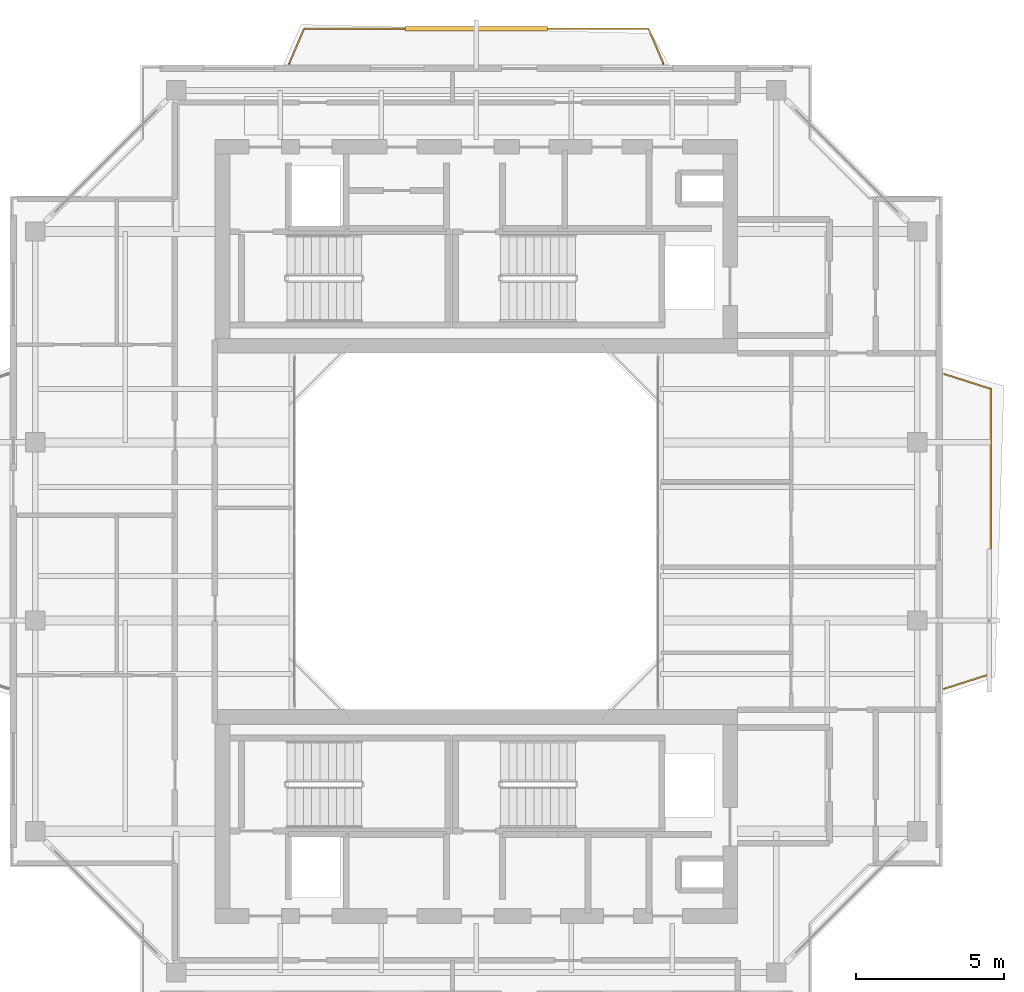
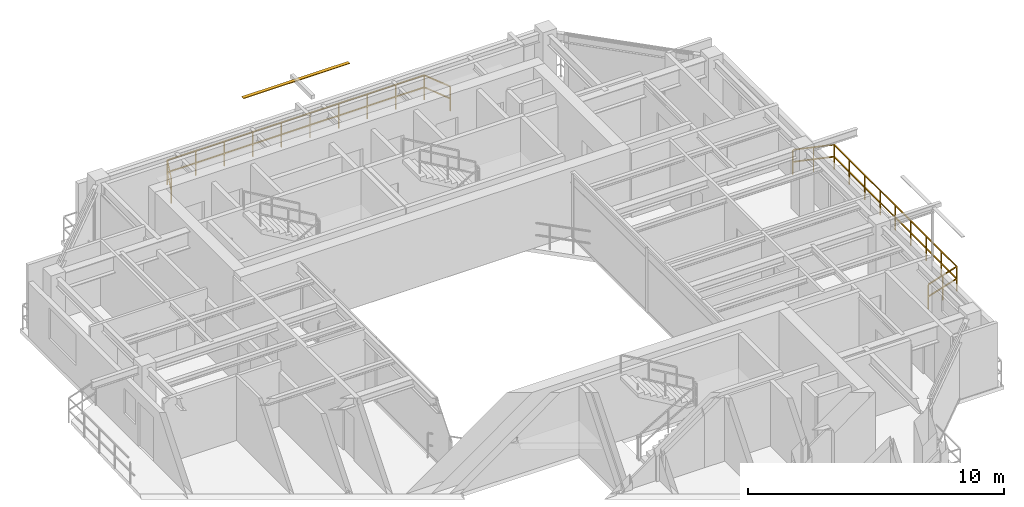
# One storey, part 15 of 15: 2 railings, 1 shading device.
"""IFC4 building model written with IfcOpenShell, lengths in metres."""

from ifc_helpers import new_model, si_unit, direction, frame, origin, origin_2d, place, context, subcontext, project, spatial, rectangle, extrude, source, transform, mapped, material, material_profile, profile_set, type_object, element, save


model = new_model("IFC4")

# Units and contexts
model_context = context("Model", 3, precision=1e-05, world=origin(), true_north=direction((0.0, 1.0)))
body_context = subcontext(model_context, "Body", "Model", "MODEL_VIEW")
ifc_project = project(units=[si_unit("LENGTHUNIT", "METRE"), si_unit("AREAUNIT", "SQUARE_METRE"), si_unit("VOLUMEUNIT", "CUBIC_METRE"), si_unit("PLANEANGLEUNIT", "RADIAN"), si_unit("MASSUNIT", "GRAM", prefix="KILO"), si_unit("THERMODYNAMICTEMPERATUREUNIT", "KELVIN"), si_unit("POWERUNIT", "WATT")], contexts=[model_context])

# Site, building, storey
site_placement = place(None, origin())
site = spatial("IfcSite", under=ifc_project, at=site_placement, CompositionType="ELEMENT")
building_placement = place(site_placement, origin())
building = spatial("IfcBuilding", under=site, at=building_placement, Name="Qiaomeng Ring Towers", CompositionType="ELEMENT")
storey_placement = place(building_placement, frame((0.0, 0.0, 250.25)))
storey = spatial("IfcBuildingStorey", under=building, at=storey_placement, Name="L73", CompositionType="ELEMENT", Elevation=250.25)

# Railings
ifc_material_1 = material(Name="Low-E pale-green laminated safety glass", Category="glass")
railing_type = type_object("IfcRailingType", Name="ARC-RL-BAL1", PredefinedType="BALUSTRADE", material=ifc_material_1)
railing_1_placement = place(storey_placement, frame((34.75, 17.699951171875, 0.0)))
element("IfcRailing", 1, at=railing_1_placement, inside=storey, type_object=railing_type, Name="L73 Balustrade ARC-BAL-L73-T1-E", PredefinedType="BALUSTRADE", context=body_context, shape_type="SweptSolid", body=[
    extrude(rectangle(XDim=0.048095703125, YDim=0.048095703125, at=origin_2d()), frame((0.0, 0.0, 1.17578125), z_axis=(0.952849860715, 0.303442157479, 0.0), x_axis=(-0.303442157479, 0.952849860715, 0.0)), (0.0, 0.0, 1.0), 1.647705078125),
    extrude(rectangle(XDim=0.048095703125, YDim=0.048095703125, at=origin_2d()), frame((0.0, 0.0, 0.60009765625), z_axis=(0.952849860715, 0.303442157479, 0.0), x_axis=(-0.303442157479, 0.952849860715, 0.0)), (0.0, 0.0, 1.0), 1.647705078125),
    extrude(rectangle(XDim=0.048095703125, YDim=0.048095703125, at=origin_2d()), frame((1.570068359375, 0.5, 1.17578125), z_axis=(0.0, 1.0, 0.0), x_axis=(-1.0, 0.0, 0.0)), (0.0, 0.0, 1.0), 9.60009765625),
    extrude(rectangle(XDim=0.048095703125, YDim=0.048095703125, at=origin_2d()), frame((1.570068359375, 0.5, 0.60009765625), z_axis=(0.0, 1.0, 0.0), x_axis=(-1.0, 0.0, 0.0)), (0.0, 0.0, 1.0), 9.60009765625),
    extrude(rectangle(XDim=0.048095703125, YDim=0.048095703125, at=origin_2d()), frame((1.570068359375, 10.10009765625, 1.17578125), z_axis=(-0.952849860715, 0.303442157479, 0.0), x_axis=(-0.303442157479, -0.952849860715, 0.0)), (0.0, 0.0, 1.0), 1.647705078125),
    extrude(rectangle(XDim=0.048095703125, YDim=0.048095703125, at=origin_2d()), frame((1.570068359375, 10.10009765625, 0.60009765625), z_axis=(-0.952849860715, 0.303442157479, 0.0), x_axis=(-0.303442157479, -0.952849860715, 0.0)), (0.0, 0.0, 1.0), 1.647705078125),
    extrude(rectangle(XDim=0.0419921875, YDim=0.0419921875, at=origin_2d()), origin(), (0.0, 0.0, 1.0), 1.15185546875),
    extrude(rectangle(XDim=0.0419921875, YDim=0.0419921875, at=origin_2d()), frame((0.78515625, 0.25, 0.0)), (0.0, 0.0, 1.0), 1.15185546875),
    extrude(rectangle(XDim=0.0419921875, YDim=0.0419921875, at=origin_2d()), frame((1.570068359375, 0.5, 0.0)), (0.0, 0.0, 1.0), 1.15185546875),
    extrude(rectangle(XDim=0.0419921875, YDim=0.0419921875, at=origin_2d()), frame((1.570068359375, 1.699951171875, 0.0)), (0.0, 0.0, 1.0), 1.15185546875),
    extrude(rectangle(XDim=0.0419921875, YDim=0.0419921875, at=origin_2d()), frame((1.570068359375, 2.89990234375, 0.0)), (0.0, 0.0, 1.0), 1.15185546875),
    extrude(rectangle(XDim=0.0419921875, YDim=0.0419921875, at=origin_2d()), frame((1.570068359375, 4.10009765625, 0.0)), (0.0, 0.0, 1.0), 1.15185546875),
    extrude(rectangle(XDim=0.0419921875, YDim=0.0419921875, at=origin_2d()), frame((1.570068359375, 5.300048828125, 0.0)), (0.0, 0.0, 1.0), 1.15185546875),
    extrude(rectangle(XDim=0.0419921875, YDim=0.0419921875, at=origin_2d()), frame((1.570068359375, 6.5, 0.0)), (0.0, 0.0, 1.0), 1.15185546875),
    extrude(rectangle(XDim=0.0419921875, YDim=0.0419921875, at=origin_2d()), frame((1.570068359375, 7.7001953125, 0.0)), (0.0, 0.0, 1.0), 1.15185546875),
    extrude(rectangle(XDim=0.0419921875, YDim=0.0419921875, at=origin_2d()), frame((1.570068359375, 8.900146484375, 0.0)), (0.0, 0.0, 1.0), 1.15185546875),
    extrude(rectangle(XDim=0.0419921875, YDim=0.0419921875, at=origin_2d()), frame((1.570068359375, 10.10009765625, 0.0)), (0.0, 0.0, 1.0), 1.15185546875),
    extrude(rectangle(XDim=0.0419921875, YDim=0.0419921875, at=origin_2d()), frame((0.78515625, 10.35009765625, 0.0)), (0.0, 0.0, 1.0), 1.15185546875),
    extrude(rectangle(XDim=0.0419921875, YDim=0.0419921875, at=origin_2d()), frame((0.0, 10.60009765625, 0.0)), (0.0, 0.0, 1.0), 1.15185546875),
])
railing_2_placement = place(storey_placement, frame((12.699951171875, 38.75, 0.0)))
element("IfcRailing", 2, at=railing_2_placement, inside=storey, type_object=railing_type, Name="L73 Balustrade ARC-BAL-L73-T1-N", PredefinedType="BALUSTRADE", context=body_context, shape_type="SweptSolid", body=[
    extrude(rectangle(XDim=0.048095703125, YDim=0.048095703125, at=origin_2d()), frame((0.0, 0.0, 1.17578125), z_axis=(0.39299272826, 0.919541579014, 0.0), x_axis=(-0.919541579014, 0.39299272826, 0.0)), (0.0, 0.0, 1.0), 1.272216796875),
    extrude(rectangle(XDim=0.048095703125, YDim=0.048095703125, at=origin_2d()), frame((0.0, 0.0, 0.60009765625), z_axis=(0.39299272826, 0.919541579014, 0.0), x_axis=(-0.919541579014, 0.39299272826, 0.0)), (0.0, 0.0, 1.0), 1.272216796875),
    extrude(rectangle(XDim=0.048095703125, YDim=0.048095703125, at=origin_2d()), frame((0.5, 1.169921875, 1.17578125), z_axis=(1.0, 0.0, 0.0), x_axis=(0.0, 1.0, 0.0)), (0.0, 0.0, 1.0), 11.60009765625),
    extrude(rectangle(XDim=0.048095703125, YDim=0.048095703125, at=origin_2d()), frame((0.5, 1.169921875, 0.60009765625), z_axis=(1.0, 0.0, 0.0), x_axis=(0.0, 1.0, 0.0)), (0.0, 0.0, 1.0), 11.60009765625),
    extrude(rectangle(XDim=0.048095703125, YDim=0.048095703125, at=origin_2d()), frame((12.10009765625, 1.169921875, 1.17578125), z_axis=(0.39299272826, -0.919541579014, 0.0), x_axis=(0.919541579014, 0.39299272826, 0.0)), (0.0, 0.0, 1.0), 1.272216796875),
    extrude(rectangle(XDim=0.048095703125, YDim=0.048095703125, at=origin_2d()), frame((12.10009765625, 1.169921875, 0.60009765625), z_axis=(0.39299272826, -0.919541579014, 0.0), x_axis=(0.919541579014, 0.39299272826, 0.0)), (0.0, 0.0, 1.0), 1.272216796875),
    extrude(rectangle(XDim=0.0419921875, YDim=0.0419921875, at=origin_2d()), origin(), (0.0, 0.0, 1.0), 1.15185546875),
    extrude(rectangle(XDim=0.0419921875, YDim=0.0419921875, at=origin_2d()), frame((0.5, 1.169921875, 0.0)), (0.0, 0.0, 1.0), 1.15185546875),
    extrude(rectangle(XDim=0.0419921875, YDim=0.0419921875, at=origin_2d()), frame((1.788818359375, 1.169921875, 0.0)), (0.0, 0.0, 1.0), 1.15185546875),
    extrude(rectangle(XDim=0.0419921875, YDim=0.0419921875, at=origin_2d()), frame((3.077880859375, 1.169921875, 0.0)), (0.0, 0.0, 1.0), 1.15185546875),
    extrude(rectangle(XDim=0.0419921875, YDim=0.0419921875, at=origin_2d()), frame((4.36669921875, 1.169921875, 0.0)), (0.0, 0.0, 1.0), 1.15185546875),
    extrude(rectangle(XDim=0.0419921875, YDim=0.0419921875, at=origin_2d()), frame((5.655517578125, 1.169921875, 0.0)), (0.0, 0.0, 1.0), 1.15185546875),
    extrude(rectangle(XDim=0.0419921875, YDim=0.0419921875, at=origin_2d()), frame((6.944580078125, 1.169921875, 0.0)), (0.0, 0.0, 1.0), 1.15185546875),
    extrude(rectangle(XDim=0.0419921875, YDim=0.0419921875, at=origin_2d()), frame((8.2333984375, 1.169921875, 0.0)), (0.0, 0.0, 1.0), 1.15185546875),
    extrude(rectangle(XDim=0.0419921875, YDim=0.0419921875, at=origin_2d()), frame((9.522216796875, 1.169921875, 0.0)), (0.0, 0.0, 1.0), 1.15185546875),
    extrude(rectangle(XDim=0.0419921875, YDim=0.0419921875, at=origin_2d()), frame((10.811279296875, 1.169921875, 0.0)), (0.0, 0.0, 1.0), 1.15185546875),
    extrude(rectangle(XDim=0.0419921875, YDim=0.0419921875, at=origin_2d()), frame((12.10009765625, 1.169921875, 0.0)), (0.0, 0.0, 1.0), 1.15185546875),
    extrude(rectangle(XDim=0.0419921875, YDim=0.0419921875, at=origin_2d()), frame((12.60009765625, 0.0, 0.0)), (0.0, 0.0, 1.0), 1.15185546875),
])

# Shading device
ifc_material_2 = material(Name="Fluorocarbon dark-grey aluminium", Category="aluminium")
ifc_material_profile = material_profile(ifc_material_2, rectangle(XDim=0.14990234375, YDim=0.034912109375, at=origin_2d()), Name="LV BLADE 150x35")
ifc_profile_set = profile_set([ifc_material_profile], Name="Fluorocarbon dark-grey aluminium")
shading_device_type = type_object("IfcShadingDeviceType", Name="ARC-SHD-SUN", PredefinedType="AWNING", material=ifc_profile_set)
shared_shape = source(origin(), body_context, "Body", "SweptSolid", [
    extrude(rectangle(XDim=0.14990234375, YDim=0.034912109375, at=origin_2d()), origin(), (0.0, 0.0, 1.0), 4.7998046875),
])
shading_device_placement = place(storey_placement, frame((16.60009765625, 39.919921875, 2.969970703125), z_axis=(1.0, 0.0, 0.0), x_axis=(0.0, 1.0, 0.0)))
element("IfcShadingDevice", 3, at=shading_device_placement, inside=storey, type_object=shading_device_type, Name="L73 Ventilated Outer-Skin Sunshade N", PredefinedType="AWNING", context=body_context, shape_type="MappedRepresentation", body=[
    mapped(shared_shape, transform((0.0, 0.0, 0.0), x_axis=(1.0, 0.0, 0.0), y_axis=(0.0, 1.0, 0.0), z_axis=(0.0, 0.0, 1.0), scale=1.0)),
])

save(model, "model.ifc")
